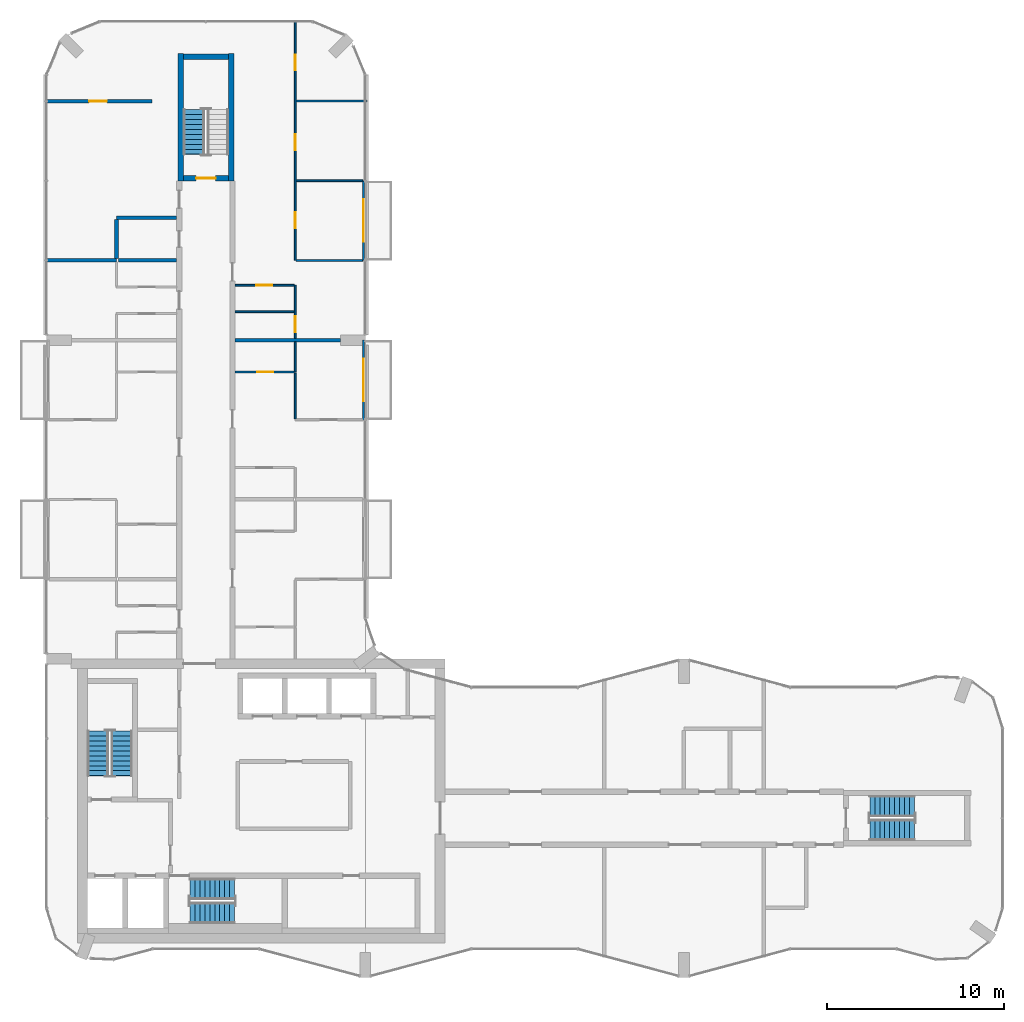
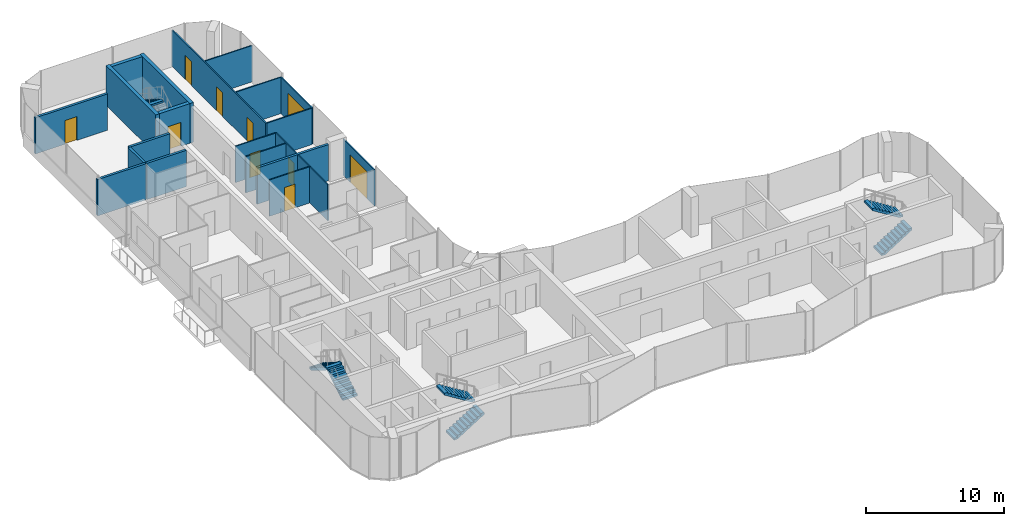
# One storey, part 12 of 16: 22 walls, 10 doors, 7 stair flights, 10 openings, 4 elements without a shape of their own.
"""IFC4 building model written with IfcOpenShell, lengths in metres."""

from ifc_helpers import new_model, si_unit, direction, frame, frame_2d, origin, place, context, subcontext, project, spatial, polyline, rectangle, outline, extrude, material, layer, layer_set, type_object, element, fill, aggregate, save


model = new_model("IFC4")

# Units and contexts
model_context = context("Model", 3, precision=1e-05, world=origin(), true_north=direction((0.0, 1.0)))
body_context = subcontext(model_context, "Body", "Model", "MODEL_VIEW")
ifc_project = project(units=[si_unit("LENGTHUNIT", "METRE"), si_unit("AREAUNIT", "SQUARE_METRE"), si_unit("VOLUMEUNIT", "CUBIC_METRE"), si_unit("PLANEANGLEUNIT", "RADIAN"), si_unit("MASSUNIT", "GRAM", prefix="KILO")], contexts=[model_context])

# Site, building, storey
site_placement = place(None, origin())
site = spatial("IfcSite", under=ifc_project, at=site_placement, CompositionType="ELEMENT")
building_placement = place(site_placement, origin())
building = spatial("IfcBuilding", under=site, at=building_placement, Name="Plateau Cross Towers", CompositionType="ELEMENT")
storey_placement = place(building_placement, frame((0.0, 0.0, 181.39990234375)))
storey = spatial("IfcBuildingStorey", under=building, at=storey_placement, Name="L47", CompositionType="ELEMENT", Elevation=181.39990234375)

# Wall, opening, door
ifc_material_1 = material(Name="Aluminium framed glazing", Category="aluminium")
ifc_layer_1 = layer(ifc_material_1, 0.10009765625)
ifc_layer_set_1 = layer_set([ifc_layer_1], Name="Aluminium framed glazing")
wall_type_1 = type_object("IfcWallType", Name="Balcony screen wall 100", PredefinedType="STANDARD", material=ifc_layer_set_1)
wall_1_placement = place(storey_placement, frame((17.89990234375, 36.0, 0.0), z_axis=(0.0, 0.0, 1.0), x_axis=(0.0, -1.0, 0.0)))
wall_1 = element("IfcWall", 1, at=wall_1_placement, inside=storey, type_object=wall_type_1, Name="Balcony screen wall A-BAL-L47-04", PredefinedType="STANDARD", context=body_context, shape_type="SweptSolid", body=[
    extrude(rectangle(XDim=4.5, YDim=0.10009765625, at=frame_2d((2.25, 0.0))), origin(), (0.0, 0.0, 1.0), 3.2001953125),
])
opening_1_placement = place(wall_1_placement, frame((1.050048828125, 0.0, 0.0)))
opening_1 = element("IfcOpeningElement", 2, at=opening_1_placement, cuts=wall_1, Name="Opening D-B24", PredefinedType="OPENING", context=body_context, shape_type="SweptSolid", body=[
    extrude(rectangle(XDim=2.39990234375, YDim=2.39990234375, at=frame_2d((1.199951171875, 1.199951171875))), frame((0.0, 0.06005859375, 0.0), z_axis=(0.0, -1.0, 0.0), x_axis=(1.0, 0.0, 0.0)), (0.0, 0.0, 1.0), 0.1201171875),
])
ifc_material_2 = material(Name="Aluminium frame, double glazing", Category="aluminium")
door_type_1 = type_object("IfcDoorType", Name="Balcony sliding door 2400", OperationType="NOTDEFINED", PredefinedType="DOOR", material=ifc_material_2)
door_1_placement = place(opening_1_placement, origin())
door_1 = element("IfcDoor", 3, at=door_1_placement, inside=storey, type_object=door_type_1, Name="Balcony door A-BAL-L47-04", OperationType="SINGLE_SWING_LEFT", OverallHeight=2.39990234375, OverallWidth=2.39990234375, PredefinedType="DOOR", context=body_context, shape_type="SweptSolid", body=[
    extrude(rectangle(XDim=2.39990234375, YDim=2.39990234375, at=frame_2d((1.199951171875, 1.199951171875))), frame((0.0, 0.02490234375, 0.0), z_axis=(0.0, -1.0, 0.0), x_axis=(1.0, 0.0, 0.0)), (0.0, 0.0, 1.0), 0.050048828125),
])
fill(opening_1, door_1)

wall_2_placement = place(storey_placement, frame((17.89990234375, 45.0, 0.0), z_axis=(0.0, 0.0, 1.0), x_axis=(0.0, -1.0, 0.0)))
wall_2 = element("IfcWall", 4, at=wall_2_placement, inside=storey, type_object=wall_type_1, Name="Balcony screen wall A-BAL-L47-05", PredefinedType="STANDARD", context=body_context, shape_type="SweptSolid", body=[
    extrude(rectangle(XDim=4.5, YDim=0.10009765625, at=frame_2d((2.25, 0.0))), origin(), (0.0, 0.0, 1.0), 3.2001953125),
])
opening_2_placement = place(wall_2_placement, frame((1.050048828125, 0.0, 0.0)))
opening_2 = element("IfcOpeningElement", 5, at=opening_2_placement, cuts=wall_2, Name="Opening D-B24", PredefinedType="OPENING", context=body_context, shape_type="SweptSolid", body=[
    extrude(rectangle(XDim=2.39990234375, YDim=2.39990234375, at=frame_2d((1.199951171875, 1.199951171875))), frame((0.0, 0.06005859375, 0.0), z_axis=(0.0, -1.0, 0.0), x_axis=(1.0, 0.0, 0.0)), (0.0, 0.0, 1.0), 0.1201171875),
])
door_2_placement = place(opening_2_placement, origin())
door_2 = element("IfcDoor", 6, at=door_2_placement, inside=storey, type_object=door_type_1, Name="Balcony door A-BAL-L47-05", OperationType="SINGLE_SWING_LEFT", OverallHeight=2.39990234375, OverallWidth=2.39990234375, PredefinedType="DOOR", context=body_context, shape_type="SweptSolid", body=[
    extrude(rectangle(XDim=2.39990234375, YDim=2.39990234375, at=frame_2d((1.199951171875, 1.199951171875))), frame((0.0, 0.02490234375, 0.0), z_axis=(0.0, -1.0, 0.0), x_axis=(1.0, 0.0, 0.0)), (0.0, 0.0, 1.0), 0.050048828125),
])
fill(opening_2, door_2)

ifc_material_3 = material(Name="Gypsum board on steel studs", Category="steel")
ifc_layer_2 = layer(ifc_material_3, 0.10009765625)
ifc_layer_set_2 = layer_set([ifc_layer_2], Name="Gypsum board on steel studs")
wall_type_2 = type_object("IfcWallType", Name="Flat partition 100", PredefinedType="PARTITIONING", material=ifc_layer_set_2)
wall_3_placement = place(storey_placement, frame((10.64990234375, 34.199951171875, 0.0), z_axis=(0.0, 0.0, 1.0), x_axis=(1.0, 0.0, 0.0)))
wall_3 = element("IfcWall", 7, at=wall_3_placement, inside=storey, type_object=wall_type_2, Name="Partition wall", PredefinedType="PARTITIONING", context=body_context, shape_type="SweptSolid", body=[
    extrude(rectangle(XDim=3.35009765625, YDim=0.10009765625, at=frame_2d((1.675048828125, 0.0))), origin(), (0.0, 0.0, 1.0), 3.2001953125),
])
opening_3_placement = place(wall_3_placement, frame((1.25, 0.0, 0.0)))
opening_3 = element("IfcOpeningElement", 8, at=opening_3_placement, cuts=wall_3, Name="Opening 47-31", PredefinedType="OPENING", context=body_context, shape_type="SweptSolid", body=[
    extrude(rectangle(XDim=0.89990234375, YDim=2.10009765625, at=frame_2d((0.449951171875, 1.050048828125))), frame((0.0, 0.06005859375, 0.0), z_axis=(0.0, -1.0, 0.0), x_axis=(1.0, 0.0, 0.0)), (0.0, 0.0, 1.0), 0.1201171875),
])
ifc_material_4 = material(Name="Timber leaf", Category="wood")
door_type_2 = type_object("IfcDoorType", Name="Flat room door 900", OperationType="NOTDEFINED", PredefinedType="DOOR", material=ifc_material_4)
door_3_placement = place(opening_3_placement, origin())
door_3 = element("IfcDoor", 9, at=door_3_placement, inside=storey, type_object=door_type_2, Name="Door 47-31", OperationType="SINGLE_SWING_RIGHT", OverallHeight=2.10009765625, OverallWidth=0.89990234375, PredefinedType="DOOR", context=body_context, shape_type="SweptSolid", body=[
    extrude(rectangle(XDim=0.89990234375, YDim=2.10009765625, at=frame_2d((0.449951171875, 1.050048828125))), frame((0.0, 0.02490234375, 0.0), z_axis=(0.0, -1.0, 0.0), x_axis=(1.0, 0.0, 0.0)), (0.0, 0.0, 1.0), 0.050048828125),
])
fill(opening_3, door_3)

# Wall
wall_4_placement = place(storey_placement, frame((14.0, 37.60009765625, 0.0), z_axis=(0.0, 0.0, 1.0), x_axis=(-1.0, 0.0, 0.0)))
element("IfcWall", 10, at=wall_4_placement, inside=storey, type_object=wall_type_2, Name="Partition wall", PredefinedType="PARTITIONING", context=body_context, shape_type="SweptSolid", body=[
    extrude(rectangle(XDim=3.35009765625, YDim=0.10009765625, at=frame_2d((1.675048828125, 0.0))), origin(), (0.0, 0.0, 1.0), 3.2001953125),
])

# Wall, opening, door
wall_5_placement = place(storey_placement, frame((14.0, 39.10009765625, 0.0), z_axis=(0.0, 0.0, 1.0), x_axis=(-1.0, 0.0, 0.0)))
wall_5 = element("IfcWall", 11, at=wall_5_placement, inside=storey, type_object=wall_type_2, Name="Partition wall", PredefinedType="PARTITIONING", context=body_context, shape_type="SweptSolid", body=[
    extrude(rectangle(XDim=3.35009765625, YDim=0.10009765625, at=frame_2d((1.675048828125, 0.0))), origin(), (0.0, 0.0, 1.0), 3.2001953125),
])
opening_4_placement = place(wall_5_placement, frame((1.25, 0.0, 0.0)))
opening_4 = element("IfcOpeningElement", 12, at=opening_4_placement, cuts=wall_5, Name="Opening 47-34", PredefinedType="OPENING", context=body_context, shape_type="SweptSolid", body=[
    extrude(rectangle(XDim=0.89990234375, YDim=2.10009765625, at=frame_2d((0.449951171875, 1.050048828125))), frame((0.0, 0.06005859375, 0.0), z_axis=(0.0, -1.0, 0.0), x_axis=(1.0, 0.0, 0.0)), (0.0, 0.0, 1.0), 0.1201171875),
])
door_4_placement = place(opening_4_placement, origin())
door_4 = element("IfcDoor", 13, at=door_4_placement, inside=storey, type_object=door_type_2, Name="Door 47-34", OperationType="SINGLE_SWING_RIGHT", OverallHeight=2.10009765625, OverallWidth=0.89990234375, PredefinedType="DOOR", context=body_context, shape_type="SweptSolid", body=[
    extrude(rectangle(XDim=0.89990234375, YDim=2.10009765625, at=frame_2d((0.449951171875, 1.050048828125))), frame((0.0, 0.02490234375, 0.0), z_axis=(0.0, -1.0, 0.0), x_axis=(1.0, 0.0, 0.0)), (0.0, 0.0, 1.0), 0.050048828125),
])
fill(opening_4, door_4)

# Walls
for number, where, z_axis, x_axis, name in (
    (14, (14.10009765625, 40.5, 0.0), (0.0, 0.0, 1.0), (1.0, 0.0, 0.0), "Partition wall"),
    (15, (17.85009765625, 45.0, 0.0), (0.0, 0.0, 1.0), (-1.0, 0.0, 0.0), "Partition wall"),
):
    element("IfcWall", number, at=place(storey_placement, frame(where, z_axis=z_axis, x_axis=x_axis)), inside=storey, type_object=wall_type_2, Name=name, PredefinedType="PARTITIONING", context=body_context, shape_type="SweptSolid", body=[
        extrude(rectangle(XDim=3.75, YDim=0.10009765625, at=frame_2d((1.875, 0.0))), origin(), (0.0, 0.0, 1.0), 3.2001953125),
    ])
wall_6_placement = place(storey_placement, frame((18.080078125, 49.5, 0.0), z_axis=(0.0, 0.0, 1.0), x_axis=(-1.0, 0.0, 0.0)))
element("IfcWall", 16, at=wall_6_placement, inside=storey, type_object=wall_type_2, Name="Partition wall", PredefinedType="PARTITIONING", context=body_context, shape_type="SweptSolid", body=[
    extrude(rectangle(XDim=3.97998046875, YDim=0.10009765625, at=frame_2d((1.989990234375, 0.0))), origin(), (0.0, 0.0, 1.0), 3.2001953125),
])
wall_7_placement = place(storey_placement, frame((14.050048828125, 34.14990234375, 0.0), z_axis=(0.0, 0.0, 1.0), x_axis=(0.0, -1.0, 0.0)))
element("IfcWall", 17, at=wall_7_placement, inside=storey, type_object=wall_type_2, Name="Partition wall", PredefinedType="PARTITIONING", context=body_context, shape_type="SweptSolid", body=[
    extrude(rectangle(XDim=2.599853515625, YDim=0.10009765625, at=frame_2d((1.2998046875, 0.0))), origin(), (0.0, 0.0, 1.0), 3.2001953125),
])

# Wall, openings, doors
wall_8_placement = place(storey_placement, frame((14.050048828125, 54.080078125, 0.0), z_axis=(0.0, 0.0, 1.0), x_axis=(0.0, -1.0, 0.0)))
wall_8 = element("IfcWall", 18, at=wall_8_placement, inside=storey, type_object=wall_type_2, Name="Partition wall", PredefinedType="PARTITIONING", context=body_context, shape_type="SweptSolid", body=[
    extrude(rectangle(XDim=13.580078125, YDim=0.10009765625, at=frame_2d((6.7900390625, 0.0))), origin(), (0.0, 0.0, 1.0), 3.2001953125),
])
opening_5_placement = place(wall_8_placement, frame((10.85009765625, 0.0, 0.0)))
opening_5 = element("IfcOpeningElement", 19, at=opening_5_placement, cuts=wall_8, Name="Opening 47-35", PredefinedType="OPENING", context=body_context, shape_type="SweptSolid", body=[
    extrude(rectangle(XDim=0.89990234375, YDim=2.10009765625, at=frame_2d((0.449951171875, 1.050048828125))), frame((0.0, 0.06005859375, 0.0), z_axis=(0.0, -1.0, 0.0), x_axis=(1.0, 0.0, 0.0)), (0.0, 0.0, 1.0), 0.1201171875),
])
opening_6_placement = place(wall_8_placement, frame((6.449951171875, 0.0, 0.0)))
opening_6 = element("IfcOpeningElement", 20, at=opening_6_placement, cuts=wall_8, Name="Opening 47-36", PredefinedType="OPENING", context=body_context, shape_type="SweptSolid", body=[
    extrude(rectangle(XDim=0.89990234375, YDim=2.10009765625, at=frame_2d((0.449951171875, 1.050048828125))), frame((0.0, 0.06005859375, 0.0), z_axis=(0.0, -1.0, 0.0), x_axis=(1.0, 0.0, 0.0)), (0.0, 0.0, 1.0), 0.1201171875),
])
opening_7_placement = place(wall_8_placement, frame((1.949951171875, 0.0, 0.0)))
opening_7 = element("IfcOpeningElement", 21, at=opening_7_placement, cuts=wall_8, Name="Opening 47-37", PredefinedType="OPENING", context=body_context, shape_type="SweptSolid", body=[
    extrude(rectangle(XDim=0.89990234375, YDim=2.10009765625, at=frame_2d((0.449951171875, 1.050048828125))), frame((0.0, 0.06005859375, 0.0), z_axis=(0.0, -1.0, 0.0), x_axis=(1.0, 0.0, 0.0)), (0.0, 0.0, 1.0), 0.1201171875),
])
door_5_placement = place(opening_5_placement, origin())
door_5 = element("IfcDoor", 22, at=door_5_placement, inside=storey, type_object=door_type_2, Name="Door 47-35", OperationType="SINGLE_SWING_RIGHT", OverallHeight=2.10009765625, OverallWidth=0.89990234375, PredefinedType="DOOR", context=body_context, shape_type="SweptSolid", body=[
    extrude(rectangle(XDim=0.89990234375, YDim=2.10009765625, at=frame_2d((0.449951171875, 1.050048828125))), frame((0.0, 0.02490234375, 0.0), z_axis=(0.0, -1.0, 0.0), x_axis=(1.0, 0.0, 0.0)), (0.0, 0.0, 1.0), 0.050048828125),
])
fill(opening_5, door_5)
door_6_placement = place(opening_6_placement, origin())
door_6 = element("IfcDoor", 23, at=door_6_placement, inside=storey, type_object=door_type_2, Name="Door 47-36", OperationType="SINGLE_SWING_RIGHT", OverallHeight=2.10009765625, OverallWidth=0.89990234375, PredefinedType="DOOR", context=body_context, shape_type="SweptSolid", body=[
    extrude(rectangle(XDim=0.89990234375, YDim=2.10009765625, at=frame_2d((0.449951171875, 1.050048828125))), frame((0.0, 0.02490234375, 0.0), z_axis=(0.0, -1.0, 0.0), x_axis=(1.0, 0.0, 0.0)), (0.0, 0.0, 1.0), 0.050048828125),
])
fill(opening_6, door_6)
door_7_placement = place(opening_7_placement, origin())
door_7 = element("IfcDoor", 24, at=door_7_placement, inside=storey, type_object=door_type_2, Name="Door 47-37", OperationType="SINGLE_SWING_LEFT", OverallHeight=2.10009765625, OverallWidth=0.89990234375, PredefinedType="DOOR", context=body_context, shape_type="SweptSolid", body=[
    extrude(rectangle(XDim=0.89990234375, YDim=2.10009765625, at=frame_2d((0.449951171875, 1.050048828125))), frame((0.0, 0.02490234375, 0.0), z_axis=(0.0, -1.0, 0.0), x_axis=(1.0, 0.0, 0.0)), (0.0, 0.0, 1.0), 0.050048828125),
])
fill(opening_7, door_7)

# Wall
wall_9_placement = place(storey_placement, frame((14.050048828125, 34.199951171875, 0.0), z_axis=(0.0, 0.0, 1.0), x_axis=(0.0, 1.0, 0.0)))
element("IfcWall", 25, at=wall_9_placement, inside=storey, type_object=wall_type_2, Name="Partition wall", PredefinedType="PARTITIONING", context=body_context, shape_type="SweptSolid", body=[
    extrude(rectangle(XDim=1.699951171875, YDim=0.10009765625, at=frame_2d((0.85009765625, 0.0))), origin(), (0.0, 0.0, 1.0), 3.2001953125),
])

# Wall, opening, door
wall_10_placement = place(storey_placement, frame((14.050048828125, 36.10009765625, 0.0), z_axis=(0.0, 0.0, 1.0), x_axis=(0.0, 1.0, 0.0)))
wall_10 = element("IfcWall", 26, at=wall_10_placement, inside=storey, type_object=wall_type_2, Name="Partition wall", PredefinedType="PARTITIONING", context=body_context, shape_type="SweptSolid", body=[
    extrude(rectangle(XDim=3.0, YDim=0.10009765625, at=frame_2d((1.5, 0.0))), origin(), (0.0, 0.0, 1.0), 3.2001953125),
])
opening_8_placement = place(wall_10_placement, frame((0.35009765625, 0.0, 0.0)))
opening_8 = element("IfcOpeningElement", 27, at=opening_8_placement, cuts=wall_10, Name="Opening 47-33", PredefinedType="OPENING", context=body_context, shape_type="SweptSolid", body=[
    extrude(rectangle(XDim=0.89990234375, YDim=2.10009765625, at=frame_2d((0.449951171875, 1.050048828125))), frame((0.0, 0.06005859375, 0.0), z_axis=(0.0, -1.0, 0.0), x_axis=(1.0, 0.0, 0.0)), (0.0, 0.0, 1.0), 0.1201171875),
])
door_8_placement = place(opening_8_placement, origin())
door_8 = element("IfcDoor", 28, at=door_8_placement, inside=storey, type_object=door_type_2, Name="Door 47-33", OperationType="SINGLE_SWING_LEFT", OverallHeight=2.10009765625, OverallWidth=0.89990234375, PredefinedType="DOOR", context=body_context, shape_type="SweptSolid", body=[
    extrude(rectangle(XDim=0.89990234375, YDim=2.10009765625, at=frame_2d((0.449951171875, 1.050048828125))), frame((0.0, 0.02490234375, 0.0), z_axis=(0.0, -1.0, 0.0), x_axis=(1.0, 0.0, 0.0)), (0.0, 0.0, 1.0), 0.050048828125),
])
fill(opening_8, door_8)

# Walls
ifc_material_5 = material(Name="Gypsum board on steel studs, two layers each side", Category="steel")
ifc_layer_3 = layer(ifc_material_5, 0.199951171875)
ifc_layer_set_3 = layer_set([ifc_layer_3], Name="Gypsum board on steel studs, two layers each side")
wall_type_3 = type_object("IfcWallType", Name="Flat party wall 200", PredefinedType="PARTITIONING", material=ifc_layer_set_3)
wall_11_placement = place(storey_placement, frame((16.60009765625, 36.0, 0.0), z_axis=(0.0, 0.0, 1.0), x_axis=(-1.0, 0.0, 0.0)))
element("IfcWall", 29, at=wall_11_placement, inside=storey, type_object=wall_type_3, Name="Party wall", PredefinedType="PARTITIONING", context=body_context, shape_type="SweptSolid", body=[
    extrude(rectangle(XDim=5.9501953125, YDim=0.199951171875, at=frame_2d((2.97509765625, 0.0))), origin(), (0.0, 0.0, 1.0), 3.2001953125),
])
wall_12_placement = place(storey_placement, frame((7.35009765625, 40.5, 0.0), z_axis=(0.0, 0.0, 1.0), x_axis=(-1.0, 0.0, 0.0)))
element("IfcWall", 30, at=wall_12_placement, inside=storey, type_object=wall_type_3, Name="Party wall", PredefinedType="PARTITIONING", context=body_context, shape_type="SweptSolid", body=[
    extrude(rectangle(XDim=3.300048828125, YDim=0.199951171875, at=frame_2d((1.64990234375, 0.0))), origin(), (0.0, 0.0, 1.0), 3.2001953125),
])
wall_13_placement = place(storey_placement, frame((-0.080078125, 40.5, 0.0), z_axis=(0.0, 0.0, 1.0), x_axis=(1.0, 0.0, 0.0)))
element("IfcWall", 31, at=wall_13_placement, inside=storey, type_object=wall_type_3, Name="Party wall", PredefinedType="PARTITIONING", context=body_context, shape_type="SweptSolid", body=[
    extrude(rectangle(XDim=4.030029296875, YDim=0.199951171875, at=frame_2d((2.01513671875, 0.0))), origin(), (0.0, 0.0, 1.0), 3.2001953125),
])
wall_14_placement = place(storey_placement, frame((7.35009765625, 42.89990234375, 0.0), z_axis=(0.0, 0.0, 1.0), x_axis=(-1.0, 0.0, 0.0)))
element("IfcWall", 32, at=wall_14_placement, inside=storey, type_object=wall_type_3, Name="Party wall", PredefinedType="PARTITIONING", context=body_context, shape_type="SweptSolid", body=[
    extrude(rectangle(XDim=3.400146484375, YDim=0.199951171875, at=frame_2d((1.7001953125, 0.0))), origin(), (0.0, 0.0, 1.0), 3.2001953125),
])

# Wall, opening, door
wall_15_placement = place(storey_placement, frame((5.949951171875, 49.5, 0.0), z_axis=(0.0, 0.0, 1.0), x_axis=(-1.0, 0.0, 0.0)))
wall_15 = element("IfcWall", 33, at=wall_15_placement, inside=storey, type_object=wall_type_3, Name="Party wall", PredefinedType="PARTITIONING", context=body_context, shape_type="SweptSolid", body=[
    extrude(rectangle(XDim=6.030029296875, YDim=0.199951171875, at=frame_2d((3.01513671875, 0.0))), origin(), (0.0, 0.0, 1.0), 3.2001953125),
])
opening_9_placement = place(wall_15_placement, frame((2.550048828125, 0.0, 0.0)))
opening_9 = element("IfcOpeningElement", 34, at=opening_9_placement, cuts=wall_15, Name="Opening 47-18", PredefinedType="OPENING", context=body_context, shape_type="SweptSolid", body=[
    extrude(rectangle(XDim=1.0, YDim=2.10009765625, at=frame_2d((0.5, 1.050048828125))), frame((0.0, 0.10986328125, 0.0), z_axis=(0.0, -1.0, 0.0), x_axis=(1.0, 0.0, 0.0)), (0.0, 0.0, 1.0), 0.219970703125),
])
ifc_material_6 = material(Name="Timber, fire-resisting leaf", Category="wood")
door_type_3 = type_object("IfcDoorType", Name="Flat entrance door 1000", OperationType="NOTDEFINED", PredefinedType="DOOR", material=ifc_material_6)
door_9_placement = place(opening_9_placement, origin())
door_9 = element("IfcDoor", 35, at=door_9_placement, inside=storey, type_object=door_type_3, Name="Door 47-18", OperationType="SINGLE_SWING_RIGHT", OverallHeight=2.10009765625, OverallWidth=1.0, PredefinedType="DOOR", context=body_context, shape_type="SweptSolid", body=[
    extrude(rectangle(XDim=1.0, YDim=2.10009765625, at=frame_2d((0.5, 1.050048828125))), frame((0.0, 0.02490234375, 0.0), z_axis=(0.0, -1.0, 0.0), x_axis=(1.0, 0.0, 0.0)), (0.0, 0.0, 1.0), 0.050048828125),
])
fill(opening_9, door_9)

# Wall
wall_16_placement = place(storey_placement, frame((3.949951171875, 42.800048828125, 0.0), z_axis=(0.0, 0.0, 1.0), x_axis=(0.0, -1.0, 0.0)))
element("IfcWall", 36, at=wall_16_placement, inside=storey, type_object=wall_type_3, Name="Party wall", PredefinedType="PARTITIONING", context=body_context, shape_type="SweptSolid", body=[
    extrude(rectangle(XDim=2.199951171875, YDim=0.199951171875, at=frame_2d((1.10009765625, 0.0))), origin(), (0.0, 0.0, 1.0), 3.2001953125),
])

# Wall, opening, door
ifc_material_7 = material(Name="Concrete C60/75", Category="concrete")
ifc_layer_4 = layer(ifc_material_7, 0.300048828125)
ifc_layer_set_4 = layer_set([ifc_layer_4], Name="Concrete C60/75")
wall_type_4 = type_object("IfcWallType", Name="Stair tower wall 300", PredefinedType="SHEAR", material=ifc_layer_set_4)
wall_17_placement = place(storey_placement, frame((7.72509765625, 45.14990234375, 0.0), z_axis=(0.0, 0.0, 1.0), x_axis=(1.0, 0.0, 0.0)))
wall_17 = element("IfcWall", 37, at=wall_17_placement, inside=storey, type_object=wall_type_4, Name="A-end-N-S@L47", PredefinedType="SHEAR", context=body_context, shape_type="SweptSolid", body=[
    extrude(rectangle(XDim=2.5498046875, YDim=0.300048828125, at=frame_2d((1.27490234375, 0.0))), origin(), (0.0, 0.0, 1.0), 3.5),
])
opening_10_placement = place(wall_17_placement, frame((0.72509765625, 0.0, 0.0)))
opening_10 = element("IfcOpeningElement", 38, at=opening_10_placement, cuts=wall_17, Name="Opening SD", PredefinedType="OPENING", context=body_context, shape_type="SweptSolid", body=[
    extrude(rectangle(XDim=1.10009765625, YDim=2.10009765625, at=frame_2d((0.550048828125, 1.050048828125))), frame((0.0, 0.159912109375, 0.0), z_axis=(0.0, -1.0, 0.0), x_axis=(1.0, 0.0, 0.0)), (0.0, 0.0, 1.0), 0.320068359375),
])
ifc_material_8 = material(Name="Steel, fire-resisting leaf", Category="steel")
door_type_4 = type_object("IfcDoorType", Name="Stair door 1100", OperationType="NOTDEFINED", PredefinedType="DOOR", material=ifc_material_8)
door_10_placement = place(opening_10_placement, origin())
door_10 = element("IfcDoor", 39, at=door_10_placement, inside=storey, type_object=door_type_4, Name="Stair door SD", OperationType="SINGLE_SWING_LEFT", OverallHeight=2.10009765625, OverallWidth=1.10009765625, PredefinedType="DOOR", context=body_context, shape_type="SweptSolid", body=[
    extrude(rectangle(XDim=1.10009765625, YDim=2.10009765625, at=frame_2d((0.550048828125, 1.050048828125))), frame((0.0, 0.02490234375, 0.0), z_axis=(0.0, -1.0, 0.0), x_axis=(1.0, 0.0, 0.0)), (0.0, 0.0, 1.0), 0.050048828125),
])
fill(opening_10, door_10)

# Walls
wall_18_placement = place(storey_placement, frame((7.72509765625, 52.0, 0.0), z_axis=(0.0, 0.0, 1.0), x_axis=(1.0, 0.0, 0.0)))
element("IfcWall", 40, at=wall_18_placement, inside=storey, type_object=wall_type_4, Name="A-end-N-N@L47", PredefinedType="SHEAR", context=body_context, shape_type="SweptSolid", body=[
    extrude(rectangle(XDim=2.5498046875, YDim=0.300048828125, at=frame_2d((1.27490234375, 0.0))), origin(), (0.0, 0.0, 1.0), 3.5),
])
for number, where, z_axis, x_axis, name in (
    (41, (7.574951171875, 45.0, 0.0), (0.0, 0.0, 1.0), (0.0, 1.0, 0.0), "A-end-N-W@L47"),
    (42, (10.425048828125, 45.0, 0.0), (0.0, 0.0, 1.0), (0.0, 1.0, 0.0), "A-end-N-E@L47"),
):
    element("IfcWall", number, at=place(storey_placement, frame(where, z_axis=z_axis, x_axis=x_axis)), inside=storey, type_object=wall_type_4, Name=name, PredefinedType="SHEAR", context=body_context, shape_type="SweptSolid", body=[
        extrude(rectangle(XDim=7.199951171875, YDim=0.300048828125, at=frame_2d((3.60009765625, 0.0))), origin(), (0.0, 0.0, 1.0), 3.5),
    ])

# Stair, stair flights
ifc_material_9 = material(Name="Concrete C40/50", Category="concrete")
stair_type = type_object("IfcStairType", Name="ST-TWR", PredefinedType="HALF_TURN_STAIR", material=ifc_material_9)
stair_1_placement = place(storey_placement, origin())
stair_1 = element("IfcStair", 43, at=stair_1_placement, inside=storey, type_object=stair_type, Name="L47 Protected Exit Stair ST-1", PredefinedType="HALF_TURN_STAIR")
stair_flight_type = type_object("IfcStairFlightType", Name="SFL-RC", PredefinedType="STRAIGHT", material=ifc_material_9)
stair_flight_1_placement = place(storey_placement, frame((4.25, 11.39990234375, 0.0), z_axis=(0.0, 0.0, 1.0), x_axis=(0.0, 1.0, 0.0)))
stair_flight_1 = element("IfcStairFlight", 44, at=stair_flight_1_placement, type_object=stair_flight_type, Name="ST-1 flight 1", NumberOfRisers=10, NumberOfTreads=9, PredefinedType="STRAIGHT", RiserHeight=0.175, TreadLength=0.28, context=body_context, shape_type="SweptSolid", body=[
    extrude(outline(polyline([(-0.0048828125, -0.010009765625), (-0.0048828125, 0.0), (0.0, 0.0), (0.0, 0.175048828125), (0.280029296875, 0.175048828125), (0.280029296875, 0.35009765625), (0.56005859375, 0.35009765625), (0.56005859375, 0.52490234375), (0.840087890625, 0.52490234375), (0.840087890625, 0.699951171875), (1.1201171875, 0.699951171875), (1.1201171875, 0.875), (1.39990234375, 0.875), (1.39990234375, 1.050048828125), (1.679931640625, 1.050048828125), (1.679931640625, 1.22509765625), (1.9599609375, 1.22509765625), (1.9599609375, 1.39990234375), (2.239990234375, 1.39990234375), (2.239990234375, 1.574951171875), (2.52001953125, 1.574951171875), (2.52490234375, 1.56494140625), (2.52490234375, 1.398193359375), (2.52001953125, 1.398193359375), (0.28271484375, 0.0), (0.02001953125, 0.0), (0.02001953125, -0.010009765625), (-0.0048828125, -0.010009765625)])), frame((0.0, 0.60009765625, 0.0), z_axis=(0.0, -1.0, 0.0), x_axis=(1.0, 0.0, 0.0)), (0.0, 0.0, 1.0), 1.199951171875),
])
stair_flight_2_placement = place(storey_placement, frame((2.89990234375, 13.919921875, 1.75), z_axis=(0.0, 0.0, 1.0), x_axis=(0.0, -1.0, 0.0)))
stair_flight_2 = element("IfcStairFlight", 45, at=stair_flight_2_placement, type_object=stair_flight_type, Name="ST-1 flight 2", NumberOfRisers=10, NumberOfTreads=9, PredefinedType="STRAIGHT", RiserHeight=0.175, TreadLength=0.28, context=body_context, shape_type="SweptSolid", body=[
    extrude(outline(polyline([(-0.0048828125, -0.010009765625), (-0.0048828125, 0.0), (0.0, 0.0), (0.0, 0.175048828125), (0.280029296875, 0.175048828125), (0.280029296875, 0.35009765625), (0.56005859375, 0.35009765625), (0.56005859375, 0.52490234375), (0.840087890625, 0.52490234375), (0.840087890625, 0.699951171875), (1.1201171875, 0.699951171875), (1.1201171875, 0.875), (1.39990234375, 0.875), (1.39990234375, 1.050048828125), (1.679931640625, 1.050048828125), (1.679931640625, 1.22509765625), (1.9599609375, 1.22509765625), (1.9599609375, 1.39990234375), (2.239990234375, 1.39990234375), (2.239990234375, 1.574951171875), (2.52001953125, 1.574951171875), (2.52490234375, 1.56494140625), (2.52490234375, 1.398193359375), (2.52001953125, 1.398193359375), (0.28271484375, 0.0), (0.02001953125, 0.0), (0.02001953125, -0.010009765625), (-0.0048828125, -0.010009765625)])), frame((0.0, 0.60009765625, 0.0), z_axis=(0.0, -1.0, 0.0), x_axis=(1.0, 0.0, 0.0)), (0.0, 0.0, 1.0), 1.199951171875),
])
aggregate(stair_1, [stair_flight_1, stair_flight_2])

stair_2_placement = place(storey_placement, origin())
stair_2 = element("IfcStair", 46, at=stair_2_placement, inside=storey, type_object=stair_type, Name="L47 Protected Exit Stair ST-2", PredefinedType="HALF_TURN_STAIR")
stair_flight_3_placement = place(storey_placement, frame((8.10009765625, 3.64990234375, 0.0), z_axis=(0.0, 0.0, 1.0), x_axis=(1.0, 0.0, 0.0)))
stair_flight_3 = element("IfcStairFlight", 47, at=stair_flight_3_placement, type_object=stair_flight_type, Name="ST-2 flight 1", NumberOfRisers=10, NumberOfTreads=9, PredefinedType="STRAIGHT", RiserHeight=0.175, TreadLength=0.28, context=body_context, shape_type="SweptSolid", body=[
    extrude(outline(polyline([(-0.0048828125, -0.010009765625), (-0.0048828125, 0.0), (0.0, 0.0), (0.0, 0.175048828125), (0.280029296875, 0.175048828125), (0.280029296875, 0.35009765625), (0.56005859375, 0.35009765625), (0.56005859375, 0.52490234375), (0.840087890625, 0.52490234375), (0.840087890625, 0.699951171875), (1.1201171875, 0.699951171875), (1.1201171875, 0.875), (1.39990234375, 0.875), (1.39990234375, 1.050048828125), (1.679931640625, 1.050048828125), (1.679931640625, 1.22509765625), (1.9599609375, 1.22509765625), (1.9599609375, 1.39990234375), (2.239990234375, 1.39990234375), (2.239990234375, 1.574951171875), (2.52001953125, 1.574951171875), (2.52490234375, 1.56494140625), (2.52490234375, 1.398193359375), (2.52001953125, 1.398193359375), (0.28271484375, 0.0), (0.02001953125, 0.0), (0.02001953125, -0.010009765625), (-0.0048828125, -0.010009765625)])), frame((0.0, 0.60009765625, 0.0), z_axis=(0.0, -1.0, 0.0), x_axis=(1.0, 0.0, 0.0)), (0.0, 0.0, 1.0), 1.199951171875),
])
stair_flight_4_placement = place(storey_placement, frame((10.6201171875, 5.0, 1.75), z_axis=(0.0, 0.0, 1.0), x_axis=(-1.0, 0.0, 0.0)))
stair_flight_4 = element("IfcStairFlight", 48, at=stair_flight_4_placement, type_object=stair_flight_type, Name="ST-2 flight 2", NumberOfRisers=10, NumberOfTreads=9, PredefinedType="STRAIGHT", RiserHeight=0.175, TreadLength=0.28, context=body_context, shape_type="SweptSolid", body=[
    extrude(outline(polyline([(-0.0048828125, -0.010009765625), (-0.0048828125, 0.0), (0.0, 0.0), (0.0, 0.175048828125), (0.280029296875, 0.175048828125), (0.280029296875, 0.35009765625), (0.56005859375, 0.35009765625), (0.56005859375, 0.52490234375), (0.840087890625, 0.52490234375), (0.840087890625, 0.699951171875), (1.1201171875, 0.699951171875), (1.1201171875, 0.875), (1.39990234375, 0.875), (1.39990234375, 1.050048828125), (1.679931640625, 1.050048828125), (1.679931640625, 1.22509765625), (1.9599609375, 1.22509765625), (1.9599609375, 1.39990234375), (2.239990234375, 1.39990234375), (2.239990234375, 1.574951171875), (2.52001953125, 1.574951171875), (2.52490234375, 1.56494140625), (2.52490234375, 1.398193359375), (2.52001953125, 1.398193359375), (0.28271484375, 0.0), (0.02001953125, 0.0), (0.02001953125, -0.010009765625), (-0.0048828125, -0.010009765625)])), frame((0.0, 0.60009765625, 0.0), z_axis=(0.0, -1.0, 0.0), x_axis=(1.0, 0.0, 0.0)), (0.0, 0.0, 1.0), 1.199951171875),
])
aggregate(stair_2, [stair_flight_3, stair_flight_4])

stair_3_placement = place(storey_placement, origin())
stair_3 = element("IfcStair", 49, at=stair_3_placement, inside=storey, type_object=stair_type, Name="L47 Protected Exit Stair E", PredefinedType="HALF_TURN_STAIR")
stair_flight_5_placement = place(storey_placement, frame((46.5, 8.324951171875, 0.0), z_axis=(0.0, 0.0, 1.0), x_axis=(1.0, 0.0, 0.0)))
stair_flight_5 = element("IfcStairFlight", 50, at=stair_flight_5_placement, type_object=stair_flight_type, Name="ES-E flight 1", NumberOfRisers=10, NumberOfTreads=9, PredefinedType="STRAIGHT", RiserHeight=0.175, TreadLength=0.28, context=body_context, shape_type="SweptSolid", body=[
    extrude(outline(polyline([(-0.0048828125, -0.010009765625), (-0.0048828125, 0.0), (0.0, 0.0), (0.0, 0.175048828125), (0.280029296875, 0.175048828125), (0.280029296875, 0.35009765625), (0.56005859375, 0.35009765625), (0.56005859375, 0.52490234375), (0.840087890625, 0.52490234375), (0.840087890625, 0.699951171875), (1.1201171875, 0.699951171875), (1.1201171875, 0.875), (1.39990234375, 0.875), (1.39990234375, 1.050048828125), (1.679931640625, 1.050048828125), (1.679931640625, 1.22509765625), (1.9599609375, 1.22509765625), (1.9599609375, 1.39990234375), (2.239990234375, 1.39990234375), (2.239990234375, 1.574951171875), (2.52001953125, 1.574951171875), (2.52490234375, 1.56494140625), (2.52490234375, 1.398193359375), (2.52001953125, 1.398193359375), (0.28271484375, 0.0), (0.02001953125, 0.0), (0.02001953125, -0.010009765625), (-0.0048828125, -0.010009765625)])), frame((0.0, 0.60009765625, 0.0), z_axis=(0.0, -1.0, 0.0), x_axis=(1.0, 0.0, 0.0)), (0.0, 0.0, 1.0), 1.199951171875),
])
stair_flight_6_placement = place(storey_placement, frame((49.02001953125, 9.675048828125, 1.75), z_axis=(0.0, 0.0, 1.0), x_axis=(-1.0, 0.0, 0.0)))
stair_flight_6 = element("IfcStairFlight", 51, at=stair_flight_6_placement, type_object=stair_flight_type, Name="ES-E flight 2", NumberOfRisers=10, NumberOfTreads=9, PredefinedType="STRAIGHT", RiserHeight=0.175, TreadLength=0.28, context=body_context, shape_type="SweptSolid", body=[
    extrude(outline(polyline([(-0.0048828125, -0.010009765625), (-0.0048828125, 0.0), (0.0, 0.0), (0.0, 0.175048828125), (0.280029296875, 0.175048828125), (0.280029296875, 0.35009765625), (0.56005859375, 0.35009765625), (0.56005859375, 0.52490234375), (0.840087890625, 0.52490234375), (0.840087890625, 0.699951171875), (1.1201171875, 0.699951171875), (1.1201171875, 0.875), (1.39990234375, 0.875), (1.39990234375, 1.050048828125), (1.679931640625, 1.050048828125), (1.679931640625, 1.22509765625), (1.9599609375, 1.22509765625), (1.9599609375, 1.39990234375), (2.239990234375, 1.39990234375), (2.239990234375, 1.574951171875), (2.52001953125, 1.574951171875), (2.52490234375, 1.56494140625), (2.52490234375, 1.398193359375), (2.52001953125, 1.398193359375), (0.28271484375, 0.0), (0.02001953125, 0.0), (0.02001953125, -0.010009765625), (-0.0048828125, -0.010009765625)])), frame((0.0, 0.60009765625, 0.0), z_axis=(0.0, -1.0, 0.0), x_axis=(1.0, 0.0, 0.0)), (0.0, 0.0, 1.0), 1.199951171875),
])
aggregate(stair_3, [stair_flight_5, stair_flight_6])

# Stair, stair flight
stair_4_placement = place(storey_placement, origin())
stair_4 = element("IfcStair", 52, at=stair_4_placement, inside=storey, type_object=stair_type, Name="L47 Protected Exit Stair N", PredefinedType="HALF_TURN_STAIR")
stair_flight_7_placement = place(storey_placement, frame((8.324951171875, 49.02001953125, 1.75), z_axis=(0.0, 0.0, 1.0), x_axis=(0.0, -1.0, 0.0)))
stair_flight_7 = element("IfcStairFlight", 53, at=stair_flight_7_placement, type_object=stair_flight_type, Name="ES-N flight 2", NumberOfRisers=10, NumberOfTreads=9, PredefinedType="STRAIGHT", RiserHeight=0.175, TreadLength=0.28, context=body_context, shape_type="SweptSolid", body=[
    extrude(outline(polyline([(-0.0048828125, -0.010009765625), (-0.0048828125, 0.0), (0.0, 0.0), (0.0, 0.175048828125), (0.280029296875, 0.175048828125), (0.280029296875, 0.35009765625), (0.56005859375, 0.35009765625), (0.56005859375, 0.52490234375), (0.840087890625, 0.52490234375), (0.840087890625, 0.699951171875), (1.1201171875, 0.699951171875), (1.1201171875, 0.875), (1.39990234375, 0.875), (1.39990234375, 1.050048828125), (1.679931640625, 1.050048828125), (1.679931640625, 1.22509765625), (1.9599609375, 1.22509765625), (1.9599609375, 1.39990234375), (2.239990234375, 1.39990234375), (2.239990234375, 1.574951171875), (2.52001953125, 1.574951171875), (2.52490234375, 1.56494140625), (2.52490234375, 1.398193359375), (2.52001953125, 1.398193359375), (0.28271484375, 0.0), (0.02001953125, 0.0), (0.02001953125, -0.010009765625), (-0.0048828125, -0.010009765625)])), frame((0.0, 0.60009765625, 0.0), z_axis=(0.0, -1.0, 0.0), x_axis=(1.0, 0.0, 0.0)), (0.0, 0.0, 1.0), 1.199951171875),
])
aggregate(stair_4, [stair_flight_7])

save(model, "model.ifc")
